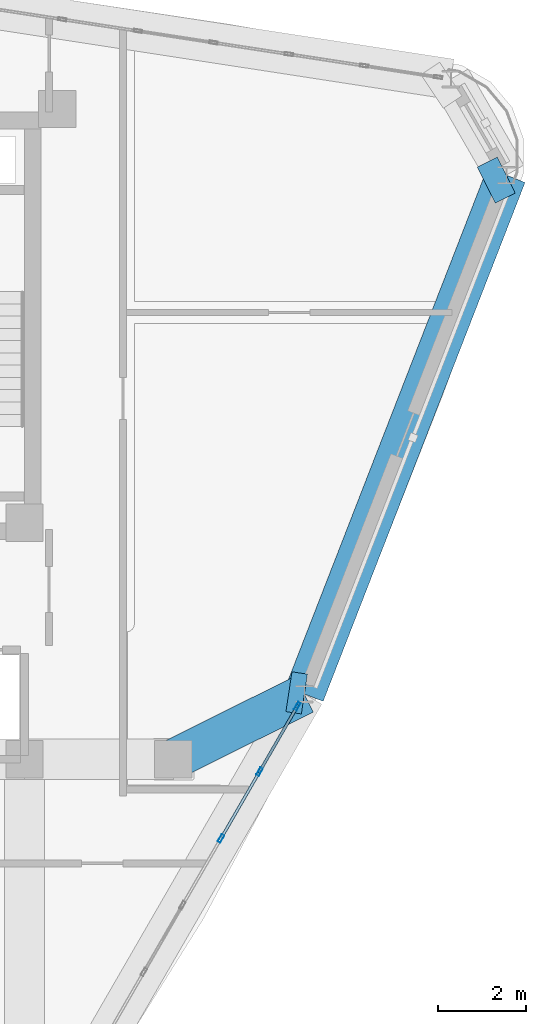
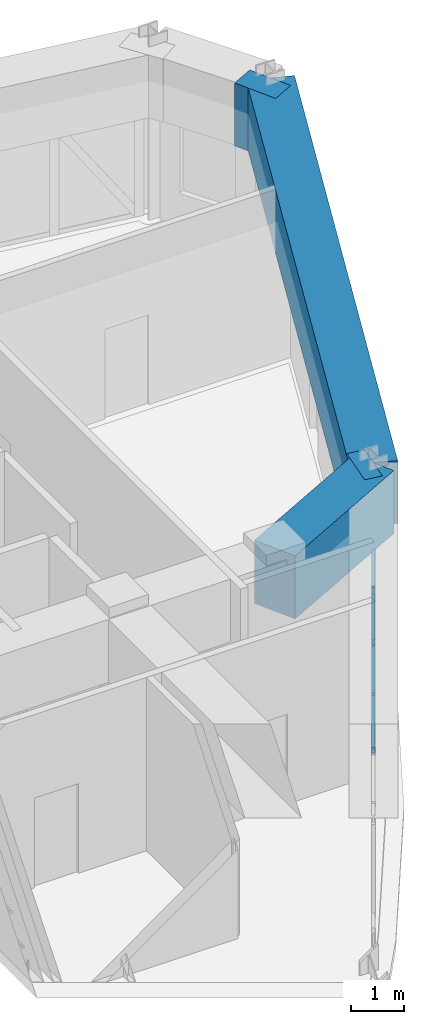
# One storey, part 7 of 17: 8 members, 4 beams, 1 element without a shape of its own.
"""IFC4 building model written with IfcOpenShell, lengths in metres."""

from ifc_helpers import new_model, si_unit, derived_unit, direction, frame, origin, origin_2d, place, context, subcontext, project, spatial, rectangle, hollow_rectangle, extrude, source, transform, mapped, material, layer, layer_set, material_profile, profile_set, type_object, element, aggregate, save


model = new_model("IFC4")

# Units and contexts
model_context = context("Model", 3, precision=1e-05, world=origin(), true_north=direction((0.0, 1.0)))
body_context = subcontext(model_context, "Body", "Model", "MODEL_VIEW")
ifc_project = project(units=[si_unit("LENGTHUNIT", "METRE"), si_unit("AREAUNIT", "SQUARE_METRE"), si_unit("VOLUMEUNIT", "CUBIC_METRE"), si_unit("PLANEANGLEUNIT", "RADIAN"), si_unit("MASSUNIT", "GRAM", prefix="KILO"), derived_unit("THERMALTRANSMITTANCEUNIT", [(si_unit("POWERUNIT", "WATT"), 1), (si_unit("LENGTHUNIT", "METRE"), -2), (si_unit("THERMODYNAMICTEMPERATUREUNIT", "KELVIN"), -1)])], contexts=[model_context])

# Site, building, storey
site_placement = place(None, origin())
site = spatial("IfcSite", under=ifc_project, at=site_placement, CompositionType="ELEMENT")
building_placement = place(site_placement, origin())
building = spatial("IfcBuilding", under=site, at=building_placement, Name="Korsvarv Bourse and Concert Hall", CompositionType="ELEMENT")
storey_placement = place(building_placement, frame((0.0, 0.0, 279.60009765625)))
storey = spatial("IfcBuildingStorey", under=building, at=storey_placement, Name="L73", CompositionType="ELEMENT", Elevation=279.60009765625)

# Beams
ifc_material_1 = material(Name="Concrete C50/60", Category="concrete")
ifc_material_profile_1 = material_profile(ifc_material_1, rectangle(XDim=0.919921875, YDim=1.43994140625, at=origin_2d()), Name="RC-BM 920x1440")
ifc_profile_set_1 = profile_set([ifc_material_profile_1], Name="Concrete C50/60")
beam_type = type_object("IfcBeamType", Name="BM-TR-144", PredefinedType="BEAM", material=ifc_profile_set_1)
shared_shape_1 = source(origin(), body_context, "Body", "SweptSolid", [
    extrude(rectangle(XDim=0.919921875, YDim=1.43994140625, at=origin_2d()), origin(), (0.0, 0.0, 1.0), 0.510498046875),
])
beam_1_placement = place(storey_placement, frame((55.406005859375, 45.740966796875, 3.239990234375), z_axis=(-0.895667052243, -0.444725231493, 0.0), x_axis=(0.444725231493, -0.895667052243, 0.0)))
element("IfcBeam", 1, at=beam_1_placement, inside=storey, type_object=beam_type, Name="L73 beam B-TR4", PredefinedType="BEAM", context=body_context, shape_type="MappedRepresentation", body=[
    mapped(shared_shape_1, transform((0.0, 0.0, 0.0), scale=1.0)),
])
shared_shape_2 = source(origin(), body_context, "Body", "SweptSolid", [
    extrude(rectangle(XDim=0.919921875, YDim=1.43994140625, at=origin_2d()), origin(), (0.0, 0.0, 1.0), 0.3564453125),
])
beam_2_placement = place(storey_placement, frame((50.794677734375, 33.889404296875, 3.239990234375), z_axis=(-0.988576712642, 0.150718556328, 0.0), x_axis=(-0.150718556328, -0.988576712642, 0.0)))
element("IfcBeam", 2, at=beam_2_placement, inside=storey, type_object=beam_type, Name="L73 beam B-TR4", PredefinedType="BEAM", context=body_context, shape_type="MappedRepresentation", body=[
    mapped(shared_shape_2, transform((0.0, 0.0, 0.0), scale=1.0)),
])
shared_shape_3 = source(origin(), body_context, "Body", "SweptSolid", [
    extrude(rectangle(XDim=0.919921875, YDim=1.43994140625, at=origin_2d()), origin(), (0.0, 0.0, 1.0), 12.717041015625),
])
beam_3_placement = place(storey_placement, frame((50.794677734375, 33.889404296875, 3.239990234375), z_axis=(0.362609308804, 0.931941247702, 0.0), x_axis=(-0.931941247702, 0.362609308804, 0.0)))
element("IfcBeam", 3, at=beam_3_placement, inside=storey, type_object=beam_type, Name="L73 beam B-TR4", PredefinedType="BEAM", context=body_context, shape_type="MappedRepresentation", body=[
    mapped(shared_shape_3, transform((0.0, 0.0, 0.0), scale=1.0)),
])
shared_shape_4 = source(origin(), body_context, "Body", "SweptSolid", [
    extrude(rectangle(XDim=0.919921875, YDim=1.43994140625, at=origin_2d()), origin(), (0.0, 0.0, 1.0), 3.3447265625),
])
beam_4_placement = place(storey_placement, frame((50.794677734375, 33.889404296875, 3.239990234375), z_axis=(-0.895359577969, -0.445343941398, 0.0), x_axis=(0.445343941398, -0.895359577969, 0.0)))
element("IfcBeam", 4, at=beam_4_placement, inside=storey, type_object=beam_type, Name="L73 beam B-TR4", PredefinedType="BEAM", context=body_context, shape_type="MappedRepresentation", body=[
    mapped(shared_shape_4, transform((0.0, 0.0, 0.0), scale=1.0)),
])

# Curtain wall, members
ifc_material_2 = material(Name="Anodised aluminium and triple low-E glazing", Category="glass")
ifc_layer = layer(ifc_material_2, 0.18994140625)
ifc_layer_set = layer_set([ifc_layer], Name="Anodised aluminium and triple low-E glazing")
curtain_wall_type = type_object("IfcCurtainWallType", Name="CW-SYS-4", PredefinedType="NOTDEFINED", material=ifc_layer_set)
curtain_wall_placement = place(storey_placement, origin())
curtain_wall = element("IfcCurtainWall", 5, at=curtain_wall_placement, inside=storey, type_object=curtain_wall_type, Name="L73 CW4 curtain wall CW-L73-F11", PredefinedType="NOTDEFINED")
ifc_material_3 = material(Name="Extruded aluminium EN AW-6063 T66", Category="aluminium")
ifc_material_profile_2 = material_profile(ifc_material_3, hollow_rectangle(XDim=0.070068359375, YDim=0.18994140625, WallThickness=0.0048828125, at=origin_2d()), Name="ALU-M 70x190")
ifc_profile_set_2 = profile_set([ifc_material_profile_2], Name="Extruded aluminium EN AW-6063 T66")
member_type_1 = type_object("IfcMemberType", Name="CWM-190", PredefinedType="MULLION", material=ifc_profile_set_2)
shared_shape_5 = source(origin(), body_context, "Body", "SweptSolid", [
    extrude(hollow_rectangle(XDim=0.070068359375, YDim=0.18994140625, WallThickness=0.0048828125, at=origin_2d()), origin(), (0.0, 0.0, 1.0), 2.52001953125),
])
member_1_placement = place(storey_placement, frame((48.89013671875, 30.590576171875, 0.0), z_axis=(0.0, 0.0, 1.0), x_axis=(-0.866026512974, 0.499998078822, 0.0)))
member_1 = element("IfcMember", 6, at=member_1_placement, type_object=member_type_1, Name="CW4 mullion 5", PredefinedType="MULLION", context=body_context, shape_type="MappedRepresentation", body=[
    mapped(shared_shape_5, transform((0.0, 0.0, 0.0), scale=1.0)),
])
member_2_placement = place(storey_placement, frame((49.770263671875, 32.115234375, 0.0), z_axis=(0.0, 0.0, 1.0), x_axis=(-0.866026512974, 0.499998078822, 0.0)))
member_2 = element("IfcMember", 7, at=member_2_placement, type_object=member_type_1, Name="CW4 mullion 6", PredefinedType="MULLION", context=body_context, shape_type="MappedRepresentation", body=[
    mapped(shared_shape_5, transform((0.0, 0.0, 0.0), scale=1.0)),
])
member_3_placement = place(storey_placement, frame((50.633056640625, 33.609619140625, 0.0), z_axis=(0.0, 0.0, 1.0), x_axis=(-0.866026512974, 0.499998078822, 0.0)))
member_3 = element("IfcMember", 8, at=member_3_placement, type_object=member_type_1, Name="CW4 mullion 7", PredefinedType="MULLION", context=body_context, shape_type="MappedRepresentation", body=[
    mapped(shared_shape_5, transform((0.0, 0.0, 0.0), scale=1.0)),
])
ifc_material_profile_3 = material_profile(ifc_material_3, hollow_rectangle(XDim=0.06494140625, YDim=0.139892578125, WallThickness=0.00390625, at=origin_2d()), Name="ALU-T 65x140")
ifc_profile_set_3 = profile_set([ifc_material_profile_3], Name="Extruded aluminium EN AW-6063 T66")
member_type_2 = type_object("IfcMemberType", Name="CWT-140", PredefinedType="USERDEFINED", material=ifc_profile_set_3)
shared_shape_6 = source(origin(), body_context, "Body", "SweptSolid", [
    extrude(hollow_rectangle(XDim=0.06494140625, YDim=0.139892578125, WallThickness=0.00390625, at=origin_2d()), origin(), (0.0, 0.0, 1.0), 1.655517578125),
])
member_4_placement = place(storey_placement, frame((49.787841796875, 32.1455078125, 0.032470703125), z_axis=(0.499913935915, 0.866075087206, 0.0), x_axis=(-0.866075087206, 0.499913935915, 0.0)))
member_4 = element("IfcMember", 9, at=member_4_placement, type_object=member_type_2, Name="CW4 transom 6.1", ObjectType="TRANSOM", PredefinedType="USERDEFINED", context=body_context, shape_type="MappedRepresentation", body=[
    mapped(shared_shape_6, transform((0.0, 0.0, 0.0), scale=1.0)),
])
member_5_placement = place(storey_placement, frame((49.787841796875, 32.1455078125, 2.4873046875), z_axis=(0.499913935915, 0.866075087206, 0.0), x_axis=(-0.866075087206, 0.499913935915, 0.0)))
member_5 = element("IfcMember", 10, at=member_5_placement, type_object=member_type_2, Name="CW4 transom 6.2", ObjectType="TRANSOM", PredefinedType="USERDEFINED", context=body_context, shape_type="MappedRepresentation", body=[
    mapped(shared_shape_6, transform((0.0, 0.0, 0.0), scale=1.0)),
])
shared_shape_7 = source(origin(), body_context, "Body", "SweptSolid", [
    extrude(hollow_rectangle(XDim=0.06494140625, YDim=0.139892578125, WallThickness=0.00390625, at=origin_2d()), origin(), (0.0, 0.0, 1.0), 1.6904296875),
])
member_6_placement = place(storey_placement, frame((48.90771484375, 30.62109375, 0.032470703125), z_axis=(0.500022507987, 0.866012408402, 0.0), x_axis=(-0.866012408402, 0.500022507987, 0.0)))
member_6 = element("IfcMember", 11, at=member_6_placement, type_object=member_type_2, Name="CW4 transom 5.1", ObjectType="TRANSOM", PredefinedType="USERDEFINED", context=body_context, shape_type="MappedRepresentation", body=[
    mapped(shared_shape_7, transform((0.0, 0.0, 0.0), scale=1.0)),
])
member_7_placement = place(storey_placement, frame((48.90771484375, 30.62109375, 2.4873046875), z_axis=(0.500022507987, 0.866012408402, 0.0), x_axis=(-0.866012408402, 0.500022507987, 0.0)))
member_7 = element("IfcMember", 12, at=member_7_placement, type_object=member_type_2, Name="CW4 transom 5.2", ObjectType="TRANSOM", PredefinedType="USERDEFINED", context=body_context, shape_type="MappedRepresentation", body=[
    mapped(shared_shape_7, transform((0.0, 0.0, 0.0), scale=1.0)),
])
ifc_material_profile_4 = material_profile(ifc_material_3, hollow_rectangle(XDim=0.06494140625, YDim=0.1650390625, WallThickness=0.0048828125, at=origin_2d()), Name="ALU-M 65x165")
ifc_profile_set_4 = profile_set([ifc_material_profile_4], Name="Extruded aluminium EN AW-6063 T66")
member_type_3 = type_object("IfcMemberType", Name="CWM-165", PredefinedType="MULLION", material=ifc_profile_set_4)
shared_shape_8 = source(origin(), body_context, "Body", "SweptSolid", [
    extrude(hollow_rectangle(XDim=0.06494140625, YDim=0.1650390625, WallThickness=0.0048828125, at=origin_2d()), origin(), (0.0, 0.0, 1.0), 2.9072265625),
])
member_8_placement = place(storey_placement, frame((50.615478515625, 33.579345703125, 0.06494140625), z_axis=(-0.284674249104, -0.493183441, 0.822028384802), x_axis=(0.866075087206, -0.499913935915, 0.0)))
member_8 = element("IfcMember", 13, at=member_8_placement, type_object=member_type_3, Name="CW4 diagonal mullion 6", PredefinedType="MULLION", context=body_context, shape_type="MappedRepresentation", body=[
    mapped(shared_shape_8, transform((0.0, 0.0, 0.0), scale=1.0)),
])
aggregate(curtain_wall, [member_1, member_2, member_3, member_6, member_7, member_4, member_5, member_8])

save(model, "model.ifc")
